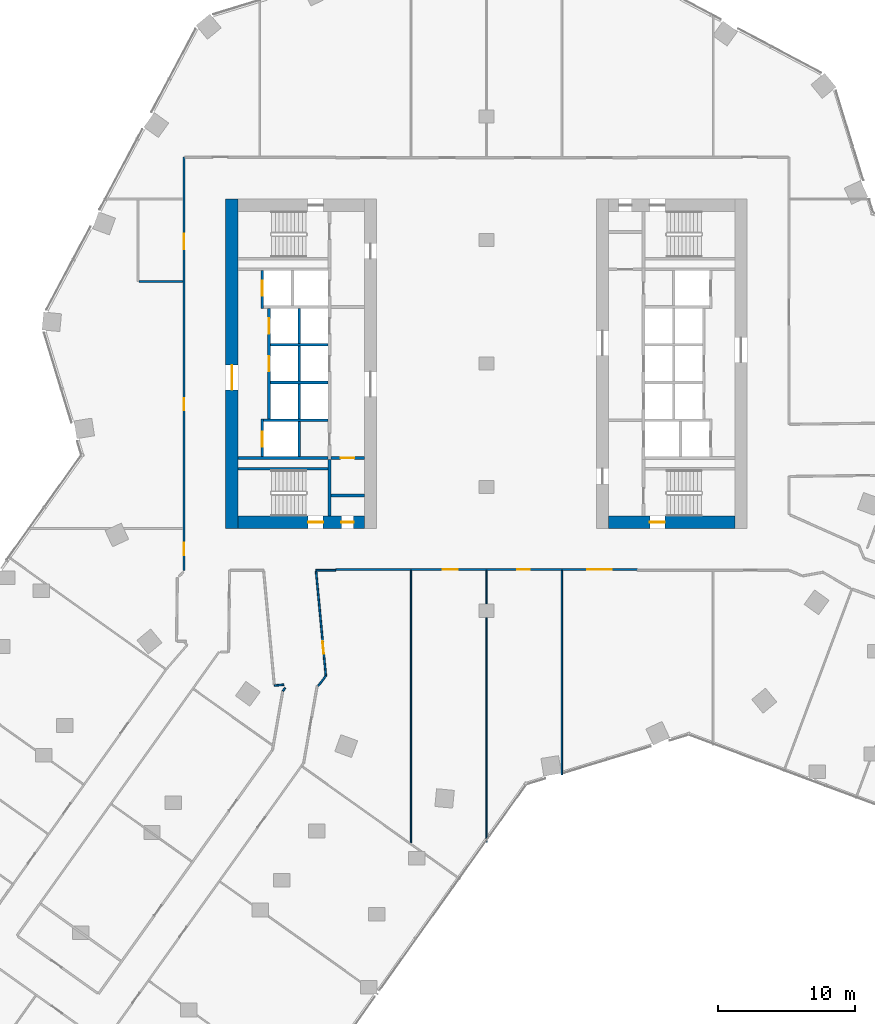
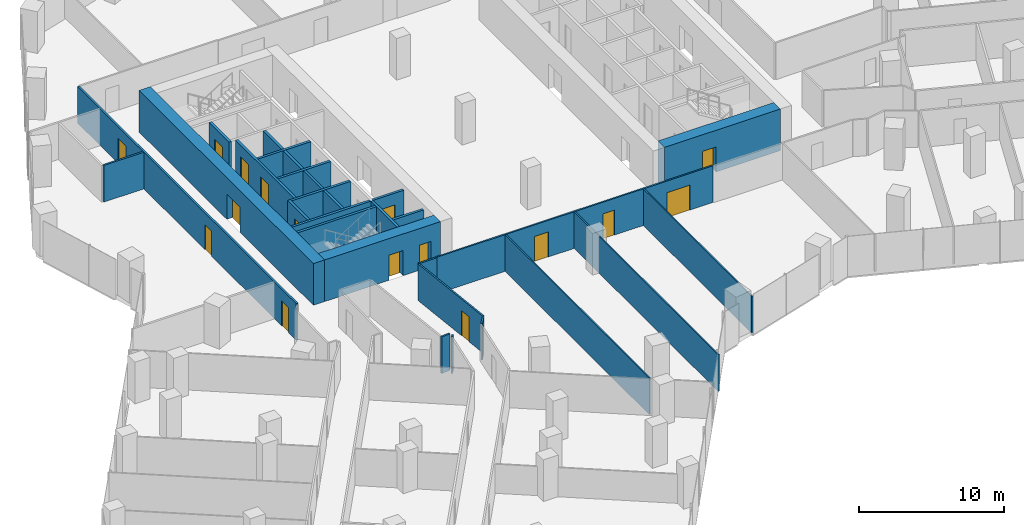
# One storey, part 24 of 31: 29 walls, 16 doors, 16 openings.
"""IFC4 building model written with IfcOpenShell, lengths in metres."""

import ifcopenshell
import ifcopenshell.guid

model = None  # the IFC model being written
_history = None  # IfcOwnerHistory: only IFC2X3 demands one
_inside = {}  # id of a spatial element -> (the spatial element, [elements in it])
_under = {}  # id of a project, library or spatial element -> (it, [spatial elements below it])
_declared = {}  # id of a project -> (the project, [libraries it declares])
_typed = {}  # id of a type object -> (the type object, [elements of that type])
_made_of = {}  # id of a material, layer set ... -> (it, [elements and type objects made of it])


def new_model(schema):
    """Start an empty IFC model of exactly this schema.

    Asked for "IFC4X3", IfcOpenShell would pick the latest addendum, in which some entities
    have other attributes; the version numbers below select the first issue.
    IFC2X3 requires an IfcOwnerHistory on every rooted entity: one is made here for all.
    """
    global model, _history
    if schema == "IFC4X3":
        model = ifcopenshell.file(schema_version=(4, 3, 0, 0))
    else:
        model = ifcopenshell.file(schema=schema)
    _inside.clear()
    _under.clear()
    _declared.clear()
    _typed.clear()
    _made_of.clear()
    _history = None
    if model.schema == "IFC2X3":
        org = make("IfcOrganization", Name="unknown")
        user = make(
            "IfcPersonAndOrganization",
            ThePerson=make("IfcPerson", FamilyName="unknown"),
            TheOrganization=org,
        )
        app = make(
            "IfcApplication",
            ApplicationDeveloper=org,
            Version="unknown",
            ApplicationFullName="unknown",
            ApplicationIdentifier="unknown",
        )
        _history = make(
            "IfcOwnerHistory",
            OwningUser=user,
            OwningApplication=app,
            ChangeAction="ADDED",
            CreationDate=0,
        )
    return model


def make(cls, **values):
    """One entity of the class cls with the attributes given. An attribute that is None is left unset."""
    return model.create_entity(
        cls, **{name: value for name, value in values.items() if value is not None}
    )


def rooted(cls, **values):
    """An entity with a GlobalId (a new one), such as an element, a storey or a relation."""
    return make(cls, GlobalId=ifcopenshell.guid.new(), OwnerHistory=_history, **values)


def si_unit(unit_type, name, prefix=None):
    """IfcSIUnit, for example si_unit("LENGTHUNIT", "METRE", prefix="MILLI")."""
    return make("IfcSIUnit", UnitType=unit_type, Prefix=prefix, Name=name)


def assignment(units):
    """IfcUnitAssignment: the units of a project."""
    return None if units is None else make("IfcUnitAssignment", Units=units)


def point(xyz):
    """IfcCartesianPoint."""
    return None if xyz is None else make("IfcCartesianPoint", Coordinates=xyz)


def direction(xyz):
    """IfcDirection."""
    return None if xyz is None else make("IfcDirection", DirectionRatios=xyz)


def frame(location, z_axis=None, x_axis=None):
    """IfcAxis2Placement3D, a coordinate frame: its origin and axes. An axis left out is left unset."""
    return make(
        "IfcAxis2Placement3D",
        Location=point(location),
        Axis=direction(z_axis),
        RefDirection=direction(x_axis),
    )


def frame_2d(location, x_axis=None):
    """IfcAxis2Placement2D, a coordinate frame in the plane: its origin and x axis."""
    return make(
        "IfcAxis2Placement2D", Location=point(location), RefDirection=direction(x_axis)
    )


def origin():
    """The frame at (0, 0, 0) with its axes left unset."""
    return frame((0.0, 0.0, 0.0))


def place(relative_to, where):
    """IfcLocalPlacement: puts the frame where relative to a parent placement (None: the world)."""
    return make(
        "IfcLocalPlacement", PlacementRelTo=relative_to, RelativePlacement=where
    )


def context(
    kind, dimensions, precision=None, world=None, true_north=None, identifier=None
):
    """IfcGeometricRepresentationContext, for example the 3D "Model" context."""
    return make(
        "IfcGeometricRepresentationContext",
        ContextIdentifier=identifier,
        ContextType=kind,
        CoordinateSpaceDimension=dimensions,
        Precision=precision,
        WorldCoordinateSystem=world,
        TrueNorth=true_north,
    )


def subcontext(parent, identifier, kind, view, scale=None):
    """IfcGeometricRepresentationSubContext, for example "Body" below "Model"."""
    return make(
        "IfcGeometricRepresentationSubContext",
        ContextIdentifier=identifier,
        ContextType=kind,
        ParentContext=parent,
        TargetScale=scale,
        TargetView=view,
    )


def project(units=None, contexts=None):
    """IfcProject with its units and contexts."""
    return rooted(
        "IfcProject",
        Name="project",
        RepresentationContexts=contexts,
        UnitsInContext=assignment(units),
    )


def spatial(cls, under=None, at=None, **own):
    """A site, building, storey or space (cls), placed at a placement, below another one or the project."""
    s = rooted(cls, ObjectPlacement=at, **own)
    if under is not None:
        _under.setdefault(under.id(), (under, []))[1].append(s)
    return s


def profile(cls, at=None, kind="AREA", **sizes):
    """A parametric profile (cls). Its sizes go by their IFC names, for example OverallWidth=200.0."""
    return make(cls, ProfileType=kind, Position=at, **sizes)


def rectangle(**sizes):
    """IfcRectangleProfileDef."""
    return profile("IfcRectangleProfileDef", **sizes)


def extrude(swept, where, along, depth):
    """IfcExtrudedAreaSolid: the profile swept, set in the frame where, extruded along a direction by depth."""
    return make(
        "IfcExtrudedAreaSolid",
        SweptArea=swept,
        Position=where,
        ExtrudedDirection=direction(along),
        Depth=depth,
    )


def shape(context_of_items, identifier, shape_type, items):
    """IfcShapeRepresentation: the items that make up one representation, for example the "Body"."""
    return make(
        "IfcShapeRepresentation",
        ContextOfItems=context_of_items,
        RepresentationIdentifier=identifier,
        RepresentationType=shape_type,
        Items=items,
    )


def material(Name=None, Category=None):
    """IfcMaterial."""
    return make("IfcMaterial", Name=Name, Category=Category)


def layer(
    of_material, thickness, ventilated=None, Name=None, Category=None, Priority=None
):
    """IfcMaterialLayer: one layer of a wall or slab, of a material (None: an air gap)."""
    return make(
        "IfcMaterialLayer",
        Material=of_material,
        LayerThickness=thickness,
        IsVentilated=ventilated,
        Name=Name,
        Category=Category,
        Priority=Priority,
    )


def layer_set(layers, Name=None):
    """IfcMaterialLayerSet."""
    return make("IfcMaterialLayerSet", MaterialLayers=layers, LayerSetName=Name)


def made_of(thing, what):
    """Note that an element or type object is made of a material, layer set ...; save() writes the relation."""
    if what is not None:
        _made_of.setdefault(what.id(), (what, []))[1].append(thing)
    return thing


def type_object(cls, material=None, **own):
    """A type object (cls), such as IfcWallType, which elements share."""
    return made_of(rooted(cls, **own), material)


def element(
    cls,
    number,
    at=None,
    inside=None,
    cuts=None,
    type_object=None,
    material=None,
    context=None,
    identifier="Body",
    shape_type=None,
    held_by="IfcProductDefinitionShape",
    body=None,
    shapes=None,
    **own,
):
    """One element of the class cls, such as IfcWall. Its Tag is "e" and its number.

    at: its placement. inside: the storey or other place that contains it. cuts: it is an
    opening in that element (IfcRelVoidsElement). A single representation is given by context,
    identifier, shape_type and body (its items); several are given by shapes. held_by: the class
    of the entity that holds the representations. save() writes the other relations.
    """
    e = rooted(cls, Tag="e%d" % number, ObjectPlacement=at, **own)
    if body is not None:
        shapes = [shape(context, identifier, shape_type, body)]
    if shapes is not None:
        e.Representation = make(held_by, Representations=shapes)
    if inside is not None:
        _inside.setdefault(inside.id(), (inside, []))[1].append(e)
    if cuts is not None:
        rooted(
            "IfcRelVoidsElement", RelatingBuildingElement=cuts, RelatedOpeningElement=e
        )
    if type_object is not None:
        _typed.setdefault(type_object.id(), (type_object, []))[1].append(e)
    return made_of(e, material)


def fill(opening, filler):
    """IfcRelFillsElement: the door or window that sits in an opening."""
    return rooted(
        "IfcRelFillsElement",
        RelatingOpeningElement=opening,
        RelatedBuildingElement=filler,
    )


def aggregate(whole, parts):
    """IfcRelAggregates: a whole, such as a stair, and the parts it consists of."""
    return rooted("IfcRelAggregates", RelatingObject=whole, RelatedObjects=parts)


def save(model, path):
    """Write the relations noted so far, then the file.

    IfcRelAggregates (storeys below a building ...), IfcRelContainedInSpatialStructure (elements
    in a storey), IfcRelDefinesByType, IfcRelAssociatesMaterial and IfcRelDeclares: one each for
    every whole, place, type object, material and project.
    """
    for whole, parts in _under.values():
        aggregate(whole, parts)
    for where, things in _inside.values():
        rooted(
            "IfcRelContainedInSpatialStructure",
            RelatedElements=things,
            RelatingStructure=where,
        )
    for kind, things in _typed.values():
        rooted("IfcRelDefinesByType", RelatedObjects=things, RelatingType=kind)
    for what, things in _made_of.values():
        rooted("IfcRelAssociatesMaterial", RelatedObjects=things, RelatingMaterial=what)
    for by, libraries in _declared.values():
        rooted("IfcRelDeclares", RelatingContext=by, RelatedDefinitions=libraries)
    model.write(path)


model = new_model("IFC4")

# Units and contexts
model_context = context("Model", 3, precision=1e-05, world=origin(), true_north=direction((0.0, 1.0)))
body_context = subcontext(model_context, "Body", "Model", "MODEL_VIEW")
ifc_project = project(units=[si_unit("LENGTHUNIT", "METRE"), si_unit("AREAUNIT", "SQUARE_METRE"), si_unit("VOLUMEUNIT", "CUBIC_METRE"), si_unit("PLANEANGLEUNIT", "RADIAN"), si_unit("MASSUNIT", "GRAM", prefix="KILO")], contexts=[model_context])

# Site, building, storey
site_placement = place(None, origin())
site = spatial("IfcSite", under=ifc_project, at=site_placement, CompositionType="ELEMENT")
building_placement = place(site_placement, origin())
building = spatial("IfcBuilding", under=site, at=building_placement, Name="Orlundy Tower", CompositionType="ELEMENT")
storey_placement = place(building_placement, frame((0.0, 0.0, 94.699951171875)))
storey = spatial("IfcBuildingStorey", under=building, at=storey_placement, Name="L23", CompositionType="ELEMENT", Elevation=94.699951171875)

# Wall, openings, doors
ifc_material_1 = material(Name="Concrete C80/95", Category="concrete")
ifc_layer_1 = layer(ifc_material_1, 0.89990234375)
ifc_layer_set_1 = layer_set([ifc_layer_1], Name="CORE WALL 900 C80/95")
wall_type_1 = type_object("IfcWallType", Name="CORE WALL 900 C80/95", PredefinedType="SHEAR", material=ifc_layer_set_1)
wall_1_placement = place(storey_placement, frame((-18.10009765625, -11.550048828125, 0.0), z_axis=(0.0, 0.0, 1.0), x_axis=(1.0, 0.0, 0.0)))
wall_1 = element("IfcWall", 1, at=wall_1_placement, inside=storey, type_object=wall_type_1, Name="Core wall W-S L23", PredefinedType="SHEAR", context=body_context, shape_type="SweptSolid", body=[
    extrude(rectangle(XDim=9.2001953125, YDim=0.89990234375, at=frame_2d((4.60009765625, 0.0))), origin(), (0.0, 0.0, 1.0), 3.5),
])
opening_1_placement = place(wall_1_placement, frame((5.10009765625, 0.0, 0.0)))
opening_1 = element("IfcOpeningElement", 2, at=opening_1_placement, cuts=wall_1, Name="Opening 18013", PredefinedType="OPENING", context=body_context, shape_type="SweptSolid", body=[
    extrude(rectangle(XDim=1.10009765625, YDim=2.10009765625, at=frame_2d((0.550048828125, 1.050048828125))), frame((0.0, 0.4599609375, 0.0), z_axis=(0.0, -1.0, 0.0), x_axis=(1.0, 0.0, 0.0)), (0.0, 0.0, 1.0), 0.919921875),
])
opening_2_placement = place(wall_1_placement, frame((7.530029296875, 0.0, 0.0)))
opening_2 = element("IfcOpeningElement", 3, at=opening_2_placement, cuts=wall_1, Name="Opening 18015", PredefinedType="OPENING", context=body_context, shape_type="SweptSolid", body=[
    extrude(rectangle(XDim=0.89990234375, YDim=2.10009765625, at=frame_2d((0.449951171875, 1.050048828125))), frame((0.0, 0.4599609375, 0.0), z_axis=(0.0, -1.0, 0.0), x_axis=(1.0, 0.0, 0.0)), (0.0, 0.0, 1.0), 0.919921875),
])
ifc_material_2 = material(Name="Timber door set", Category="wood")
door_type_1 = type_object("IfcDoorType", Name="Room Door 900x2100", OperationType="SINGLE_SWING_LEFT", PredefinedType="DOOR", material=ifc_material_2)
door_1_placement = place(opening_2_placement, origin())
door_1 = element("IfcDoor", 4, at=door_1_placement, inside=storey, type_object=door_type_1, Name="Store door 18015", OperationType="SINGLE_SWING_RIGHT", OverallHeight=2.10009765625, OverallWidth=0.89990234375, PredefinedType="DOOR", context=body_context, shape_type="SweptSolid", body=[
    extrude(rectangle(XDim=0.89990234375, YDim=2.10009765625, at=frame_2d((0.449951171875, 1.050048828125))), frame((0.0, 0.02490234375, 0.0), z_axis=(0.0, -1.0, 0.0), x_axis=(1.0, 0.0, 0.0)), (0.0, 0.0, 1.0), 0.050048828125),
])
fill(opening_2, door_1)
ifc_material_3 = material(Name="Steel door set", Category="steel")
door_type_2 = type_object("IfcDoorType", Name="Stair Door 1100x2100", OperationType="SINGLE_SWING_LEFT", PredefinedType="DOOR", material=ifc_material_3)
door_2_placement = place(opening_1_placement, origin())
door_2 = element("IfcDoor", 5, at=door_2_placement, inside=storey, type_object=door_type_2, Name="Stair door 18013", OperationType="SINGLE_SWING_RIGHT", OverallHeight=2.10009765625, OverallWidth=1.10009765625, PredefinedType="DOOR", context=body_context, shape_type="SweptSolid", body=[
    extrude(rectangle(XDim=1.10009765625, YDim=2.10009765625, at=frame_2d((0.550048828125, 1.050048828125))), frame((0.0, 0.02490234375, 0.0), z_axis=(0.0, -1.0, 0.0), x_axis=(1.0, 0.0, 0.0)), (0.0, 0.0, 1.0), 0.050048828125),
])
fill(opening_1, door_2)

# Wall, opening, door
wall_2_placement = place(storey_placement, frame((-18.550048828125, -12.0, 0.0), z_axis=(0.0, 0.0, 1.0), x_axis=(0.0, 1.0, 0.0)))
wall_2 = element("IfcWall", 6, at=wall_2_placement, inside=storey, type_object=wall_type_1, Name="Core wall W-W L23", PredefinedType="SHEAR", context=body_context, shape_type="SweptSolid", body=[
    extrude(rectangle(XDim=24.0, YDim=0.89990234375, at=frame_2d((12.0, 0.0))), origin(), (0.0, 0.0, 1.0), 3.5),
])
opening_3_placement = place(wall_2_placement, frame((10.10009765625, 0.0, 0.0)))
opening_3 = element("IfcOpeningElement", 7, at=opening_3_placement, cuts=wall_2, Name="Opening 18010", PredefinedType="OPENING", context=body_context, shape_type="SweptSolid", body=[
    extrude(rectangle(XDim=1.800048828125, YDim=2.10009765625, at=frame_2d((0.89990234375, 1.050048828125))), frame((0.0, 0.4599609375, 0.0), z_axis=(0.0, -1.0, 0.0), x_axis=(1.0, 0.0, 0.0)), (0.0, 0.0, 1.0), 0.919921875),
])
ifc_material_4 = material(Name="Timber door set", Category="wood")
door_type_3 = type_object("IfcDoorType", Name="Lobby Door 1800x2100", OperationType="DOUBLE_DOOR_DOUBLE_SWING", PredefinedType="DOOR", material=ifc_material_4)
door_3_placement = place(opening_3_placement, origin())
door_3 = element("IfcDoor", 8, at=door_3_placement, inside=storey, type_object=door_type_3, Name="Lift lobby door 18010", OperationType="SINGLE_SWING_LEFT", OverallHeight=2.10009765625, OverallWidth=1.800048828125, PredefinedType="DOOR", context=body_context, shape_type="SweptSolid", body=[
    extrude(rectangle(XDim=1.800048828125, YDim=2.10009765625, at=frame_2d((0.89990234375, 1.050048828125))), frame((0.0, 0.02490234375, 0.0), z_axis=(0.0, -1.0, 0.0), x_axis=(1.0, 0.0, 0.0)), (0.0, 0.0, 1.0), 0.050048828125),
])
fill(opening_3, door_3)

wall_3_placement = place(storey_placement, frame((8.89990234375, -11.550048828125, 0.0), z_axis=(0.0, 0.0, 1.0), x_axis=(1.0, 0.0, 0.0)))
wall_3 = element("IfcWall", 9, at=wall_3_placement, inside=storey, type_object=wall_type_1, Name="Core wall E-S L23", PredefinedType="SHEAR", context=body_context, shape_type="SweptSolid", body=[
    extrude(rectangle(XDim=9.2001953125, YDim=0.89990234375, at=frame_2d((4.60009765625, 0.0))), origin(), (0.0, 0.0, 1.0), 3.5),
])
opening_4_placement = place(wall_3_placement, frame((3.0, 0.0, 0.0)))
opening_4 = element("IfcOpeningElement", 10, at=opening_4_placement, cuts=wall_3, Name="Opening 18061", PredefinedType="OPENING", context=body_context, shape_type="SweptSolid", body=[
    extrude(rectangle(XDim=1.10009765625, YDim=2.10009765625, at=frame_2d((0.550048828125, 1.050048828125))), frame((0.0, 0.4599609375, 0.0), z_axis=(0.0, -1.0, 0.0), x_axis=(1.0, 0.0, 0.0)), (0.0, 0.0, 1.0), 0.919921875),
])
door_4_placement = place(opening_4_placement, origin())
door_4 = element("IfcDoor", 11, at=door_4_placement, inside=storey, type_object=door_type_2, Name="Stair door 18061", OperationType="SINGLE_SWING_LEFT", OverallHeight=2.10009765625, OverallWidth=1.10009765625, PredefinedType="DOOR", context=body_context, shape_type="SweptSolid", body=[
    extrude(rectangle(XDim=1.10009765625, YDim=2.10009765625, at=frame_2d((0.550048828125, 1.050048828125))), frame((0.0, 0.02490234375, 0.0), z_axis=(0.0, -1.0, 0.0), x_axis=(1.0, 0.0, 0.0)), (0.0, 0.0, 1.0), 0.050048828125),
])
fill(opening_4, door_4)

# Walls
ifc_material_5 = material(Name="Gypsum board partition")
ifc_layer_2 = layer(ifc_material_5, 0.10009765625)
ifc_layer_set_2 = layer_set([ifc_layer_2], Name="Floor partition 100")
wall_type_2 = type_object("IfcWallType", Name="Floor partition 100", PredefinedType="PARTITIONING", material=ifc_layer_set_2)
wall_4_placement = place(storey_placement, frame((5.49609375, -29.950927734375, 0.0), z_axis=(0.0, 0.0, 1.0), x_axis=(0.0, 1.0, 0.0)))
element("IfcWall", 12, at=wall_4_placement, inside=storey, type_object=wall_type_2, Name="wall-int-L23-079", PredefinedType="PARTITIONING", context=body_context, shape_type="SweptSolid", body=[
    extrude(rectangle(XDim=14.887939453125, YDim=0.10009765625, at=frame_2d((7.44384765625, 0.0))), origin(), (0.0, 0.0, 1.0), 3.080078125),
])
wall_5_placement = place(storey_placement, frame((0.0, -34.87109375, 0.0), z_axis=(0.0, 0.0, 1.0), x_axis=(0.0, 1.0, 0.0)))
element("IfcWall", 13, at=wall_5_placement, inside=storey, type_object=wall_type_2, Name="wall-int-L23-081", PredefinedType="PARTITIONING", context=body_context, shape_type="SweptSolid", body=[
    extrude(rectangle(XDim=19.80810546875, YDim=0.10009765625, at=frame_2d((9.904052734375, 0.0))), origin(), (0.0, 0.0, 1.0), 3.080078125),
])
wall_6_placement = place(storey_placement, frame((-5.493896484375, -34.9130859375, 0.0), z_axis=(0.0, 0.0, 1.0), x_axis=(0.0, 1.0, 0.0)))
element("IfcWall", 14, at=wall_6_placement, inside=storey, type_object=wall_type_2, Name="wall-int-L23-083", PredefinedType="PARTITIONING", context=body_context, shape_type="SweptSolid", body=[
    extrude(rectangle(XDim=19.85009765625, YDim=0.10009765625, at=frame_2d((9.925048828125, 0.0))), origin(), (0.0, 0.0, 1.0), 3.080078125),
])

# Wall, opening, door
ifc_material_6 = material(Name="Gypsum board partition, double layer")
ifc_layer_3 = layer(ifc_material_6, 0.125)
ifc_layer_set_3 = layer_set([ifc_layer_3], Name="Floor partition 125")
wall_type_3 = type_object("IfcWallType", Name="Floor partition 125", PredefinedType="PARTITIONING", material=ifc_layer_set_3)
wall_7_placement = place(storey_placement, frame((-12.416015625, -15.113037109375, 0.0), z_axis=(0.0, 0.0, 1.0), x_axis=(0.093186749475, -0.995648647728, 0.0)))
wall_7 = element("IfcWall", 15, at=wall_7_placement, inside=storey, type_object=wall_type_3, Name="wall-int-L23-004", PredefinedType="PARTITIONING", context=body_context, shape_type="SweptSolid", body=[
    extrude(rectangle(XDim=7.663330078125, YDim=0.125, at=frame_2d((3.83154296875, 0.0))), origin(), (0.0, 0.0, 1.0), 3.080078125),
])
opening_5_placement = place(wall_7_placement, frame((5.152099609375, 0.0, 0.0)))
opening_5 = element("IfcOpeningElement", 16, at=opening_5_placement, cuts=wall_7, Name="Opening 18124", PredefinedType="OPENING", context=body_context, shape_type="SweptSolid", body=[
    extrude(rectangle(XDim=0.89990234375, YDim=2.10009765625, at=frame_2d((0.449951171875, 1.050048828125))), frame((0.0, 0.072509765625, 0.0), z_axis=(0.0, -1.0, 0.0), x_axis=(1.0, 0.0, 0.0)), (0.0, 0.0, 1.0), 0.14501953125),
])
ifc_material_7 = material(Name="Timber door leaf", Category="wood")
door_type_4 = type_object("IfcDoorType", Name="Floor door single 900 FD30S", OperationType="NOTDEFINED", PredefinedType="DOOR", material=ifc_material_7)
door_5_placement = place(opening_5_placement, origin())
door_5 = element("IfcDoor", 17, at=door_5_placement, inside=storey, type_object=door_type_4, Name="Door 18124", OperationType="SINGLE_SWING_RIGHT", OverallHeight=2.10009765625, OverallWidth=0.89990234375, PredefinedType="DOOR", context=body_context, shape_type="SweptSolid", body=[
    extrude(rectangle(XDim=0.89990234375, YDim=2.10009765625, at=frame_2d((0.449951171875, 1.050048828125))), frame((0.0, 0.02490234375, 0.0), z_axis=(0.0, -1.0, 0.0), x_axis=(1.0, 0.0, 0.0)), (0.0, 0.0, 1.0), 0.050048828125),
])
fill(opening_5, door_5)

# Wall
wall_8_placement = place(storey_placement, frame((-12.422119140625, -15.051025390625, 0.0), z_axis=(0.0, 0.0, 1.0), x_axis=(1.0, 0.0, 0.0)))
element("IfcWall", 18, at=wall_8_placement, inside=storey, type_object=wall_type_3, Name="wall-int-L23-032", PredefinedType="PARTITIONING", context=body_context, shape_type="SweptSolid", body=[
    extrude(rectangle(XDim=1.43115234375, YDim=0.125, at=frame_2d((0.715576171875, 0.0))), origin(), (0.0, 0.0, 1.0), 3.080078125),
])

# Wall, openings, doors
wall_9_placement = place(storey_placement, frame((10.989990234375, -15.0009765625, 0.0), z_axis=(0.0, 0.0, 1.0), x_axis=(-1.0, 0.0, 0.0)))
wall_9 = element("IfcWall", 19, at=wall_9_placement, inside=storey, type_object=wall_type_3, Name="wall-int-L23-034", PredefinedType="PARTITIONING", context=body_context, shape_type="SweptSolid", body=[
    extrude(rectangle(XDim=21.97998046875, YDim=0.125, at=frame_2d((10.989990234375, 0.0))), origin(), (0.0, 0.0, 1.0), 3.080078125),
])
opening_6_placement = place(wall_9_placement, frame((13.090087890625, 0.0, 0.0)))
opening_6 = element("IfcOpeningElement", 20, at=opening_6_placement, cuts=wall_9, Name="Opening 18125", PredefinedType="OPENING", context=body_context, shape_type="SweptSolid", body=[
    extrude(rectangle(XDim=1.10009765625, YDim=2.10009765625, at=frame_2d((0.550048828125, 1.050048828125))), frame((0.0, 0.072509765625, 0.0), z_axis=(0.0, -1.0, 0.0), x_axis=(1.0, 0.0, 0.0)), (0.0, 0.0, 1.0), 0.14501953125),
])
opening_7_placement = place(wall_9_placement, frame((7.843994140625, 0.0, 0.0)))
opening_7 = element("IfcOpeningElement", 21, at=opening_7_placement, cuts=wall_9, Name="Opening 18126", PredefinedType="OPENING", context=body_context, shape_type="SweptSolid", body=[
    extrude(rectangle(XDim=0.89990234375, YDim=2.10009765625, at=frame_2d((0.449951171875, 1.050048828125))), frame((0.0, 0.072509765625, 0.0), z_axis=(0.0, -1.0, 0.0), x_axis=(1.0, 0.0, 0.0)), (0.0, 0.0, 1.0), 0.14501953125),
])
opening_8_placement = place(wall_9_placement, frame((1.85009765625, 0.0, 0.0)))
opening_8 = element("IfcOpeningElement", 22, at=opening_8_placement, cuts=wall_9, Name="Opening 18127", PredefinedType="OPENING", context=body_context, shape_type="SweptSolid", body=[
    extrude(rectangle(XDim=1.800048828125, YDim=2.10009765625, at=frame_2d((0.89990234375, 1.050048828125))), frame((0.0, 0.072509765625, 0.0), z_axis=(0.0, -1.0, 0.0), x_axis=(1.0, 0.0, 0.0)), (0.0, 0.0, 1.0), 0.14501953125),
])
ifc_material_8 = material(Name="Timber door leaf", Category="wood")
door_type_5 = type_object("IfcDoorType", Name="Floor door double 1800 FD30S", OperationType="NOTDEFINED", PredefinedType="DOOR", material=ifc_material_8)
door_6_placement = place(opening_8_placement, origin())
door_6 = element("IfcDoor", 23, at=door_6_placement, inside=storey, type_object=door_type_5, Name="Door 18127", OperationType="DOUBLE_DOOR_SINGLE_SWING", OverallHeight=2.10009765625, OverallWidth=1.800048828125, PredefinedType="DOOR", context=body_context, shape_type="SweptSolid", body=[
    extrude(rectangle(XDim=1.800048828125, YDim=2.10009765625, at=frame_2d((0.89990234375, 1.050048828125))), frame((0.0, 0.02490234375, 0.0), z_axis=(0.0, -1.0, 0.0), x_axis=(1.0, 0.0, 0.0)), (0.0, 0.0, 1.0), 0.050048828125),
])
fill(opening_8, door_6)
door_7_placement = place(opening_7_placement, origin())
door_7 = element("IfcDoor", 24, at=door_7_placement, inside=storey, type_object=door_type_4, Name="Door 18126", OperationType="SINGLE_SWING_LEFT", OverallHeight=2.10009765625, OverallWidth=0.89990234375, PredefinedType="DOOR", context=body_context, shape_type="SweptSolid", body=[
    extrude(rectangle(XDim=0.89990234375, YDim=2.10009765625, at=frame_2d((0.449951171875, 1.050048828125))), frame((0.0, 0.02490234375, 0.0), z_axis=(0.0, -1.0, 0.0), x_axis=(1.0, 0.0, 0.0)), (0.0, 0.0, 1.0), 0.050048828125),
])
fill(opening_7, door_7)
ifc_material_9 = material(Name="Timber door leaf", Category="wood")
door_type_6 = type_object("IfcDoorType", Name="Floor door xwide 1100 FD30S", OperationType="NOTDEFINED", PredefinedType="DOOR", material=ifc_material_9)
door_8_placement = place(opening_6_placement, origin())
door_8 = element("IfcDoor", 25, at=door_8_placement, inside=storey, type_object=door_type_6, Name="Door 18125", OperationType="SINGLE_SWING_RIGHT", OverallHeight=2.10009765625, OverallWidth=1.10009765625, PredefinedType="DOOR", context=body_context, shape_type="SweptSolid", body=[
    extrude(rectangle(XDim=1.10009765625, YDim=2.10009765625, at=frame_2d((0.550048828125, 1.050048828125))), frame((0.0, 0.02490234375, 0.0), z_axis=(0.0, -1.0, 0.0), x_axis=(1.0, 0.0, 0.0)), (0.0, 0.0, 1.0), 0.050048828125),
])
fill(opening_6, door_8)

# Walls
wall_10_placement = place(storey_placement, frame((-12.256103515625, -23.47607421875, 0.0), z_axis=(0.0, 0.0, 1.0), x_axis=(0.603013454961, 0.797731015528, 0.0)))
element("IfcWall", 26, at=wall_10_placement, inside=storey, type_object=wall_type_3, Name="wall-int-L23-045", PredefinedType="PARTITIONING", context=body_context, shape_type="SweptSolid", body=[
    extrude(rectangle(XDim=0.9189453125, YDim=0.125, at=frame_2d((0.45947265625, 0.0))), origin(), (0.0, 0.0, 1.0), 3.080078125),
])
wall_11_placement = place(storey_placement, frame((-15.4541015625, -23.451904296875, 0.0), z_axis=(0.0, 0.0, 1.0), x_axis=(0.995687741578, 0.09276810482, 0.0)))
element("IfcWall", 27, at=wall_11_placement, inside=storey, type_object=wall_type_3, Name="wall-int-L23-046", PredefinedType="PARTITIONING", context=body_context, shape_type="SweptSolid", body=[
    extrude(rectangle(XDim=0.699951171875, YDim=0.125, at=frame_2d((0.35009765625, 0.0))), origin(), (0.0, 0.0, 1.0), 3.080078125),
])
wall_12_placement = place(storey_placement, frame((-14.840087890625, -23.85693359375, 0.0), z_axis=(0.0, 0.0, 1.0), x_axis=(0.586176879317, 0.810183106559, 0.0)))
element("IfcWall", 28, at=wall_12_placement, inside=storey, type_object=wall_type_3, Name="wall-int-L23-049", PredefinedType="PARTITIONING", context=body_context, shape_type="SweptSolid", body=[
    extrude(rectangle(XDim=0.298583984375, YDim=0.125, at=frame_2d((0.1494140625, 0.0))), origin(), (0.0, 0.0, 1.0), 3.080078125),
])
ifc_material_10 = material(Name="Blockwork shaft wall", Category="masonry")
ifc_layer_4 = layer(ifc_material_10, 0.14990234375)
ifc_layer_set_4 = layer_set([ifc_layer_4], Name="Floor shaft wall 150")
wall_type_4 = type_object("IfcWallType", Name="Floor shaft wall 150", PredefinedType="PARTITIONING", material=ifc_layer_set_4)
wall_13_placement = place(storey_placement, frame((-25.306884765625, 6.0009765625, 0.0), z_axis=(0.0, 0.0, 1.0), x_axis=(1.0, 0.0, 0.0)))
element("IfcWall", 29, at=wall_13_placement, inside=storey, type_object=wall_type_4, Name="wall-int-L23-036", PredefinedType="PARTITIONING", context=body_context, shape_type="SweptSolid", body=[
    extrude(rectangle(XDim=3.181884765625, YDim=0.14990234375, at=frame_2d((1.5908203125, 0.0))), origin(), (0.0, 0.0, 1.0), 3.080078125),
])

# Wall, openings, doors
wall_14_placement = place(storey_placement, frame((-22.050048828125, -15.051025390625, 0.0), z_axis=(0.0, 0.0, 1.0), x_axis=(0.0, 1.0, 0.0)))
wall_14 = element("IfcWall", 30, at=wall_14_placement, inside=storey, type_object=wall_type_4, Name="wall-int-L23-086", PredefinedType="PARTITIONING", context=body_context, shape_type="SweptSolid", body=[
    extrude(rectangle(XDim=30.10205078125, YDim=0.14990234375, at=frame_2d((15.051025390625, 0.0))), origin(), (0.0, 0.0, 1.0), 3.080078125),
])
opening_9_placement = place(wall_14_placement, frame((11.65087890625, 0.0, 0.0)))
opening_9 = element("IfcOpeningElement", 31, at=opening_9_placement, cuts=wall_14, Name="Opening 18120", PredefinedType="OPENING", context=body_context, shape_type="SweptSolid", body=[
    extrude(rectangle(XDim=0.89990234375, YDim=2.10009765625, at=frame_2d((0.449951171875, 1.050048828125))), frame((0.0, 0.0849609375, 0.0), z_axis=(0.0, -1.0, 0.0), x_axis=(1.0, 0.0, 0.0)), (0.0, 0.0, 1.0), 0.169921875),
])
opening_10_placement = place(wall_14_placement, frame((1.10009765625, 0.0, 0.0)))
opening_10 = element("IfcOpeningElement", 32, at=opening_10_placement, cuts=wall_14, Name="Opening 18121", PredefinedType="OPENING", context=body_context, shape_type="SweptSolid", body=[
    extrude(rectangle(XDim=0.89990234375, YDim=2.10009765625, at=frame_2d((0.449951171875, 1.050048828125))), frame((0.0, 0.0849609375, 0.0), z_axis=(0.0, -1.0, 0.0), x_axis=(1.0, 0.0, 0.0)), (0.0, 0.0, 1.0), 0.169921875),
])
opening_11_placement = place(wall_14_placement, frame((23.402099609375, 0.0, 0.0)))
opening_11 = element("IfcOpeningElement", 33, at=opening_11_placement, cuts=wall_14, Name="Opening 18137", PredefinedType="OPENING", context=body_context, shape_type="SweptSolid", body=[
    extrude(rectangle(XDim=1.10009765625, YDim=2.10009765625, at=frame_2d((0.550048828125, 1.050048828125))), frame((0.0, 0.0849609375, 0.0), z_axis=(0.0, -1.0, 0.0), x_axis=(1.0, 0.0, 0.0)), (0.0, 0.0, 1.0), 0.169921875),
])
ifc_material_11 = material(Name="Timber door leaf", Category="wood")
door_type_7 = type_object("IfcDoorType", Name="Floor door single 900 FD60", OperationType="NOTDEFINED", PredefinedType="DOOR", material=ifc_material_11)
door_9_placement = place(opening_9_placement, origin())
door_9 = element("IfcDoor", 34, at=door_9_placement, inside=storey, type_object=door_type_7, Name="Door 18120", OperationType="SINGLE_SWING_LEFT", OverallHeight=2.10009765625, OverallWidth=0.89990234375, PredefinedType="DOOR", context=body_context, shape_type="SweptSolid", body=[
    extrude(rectangle(XDim=0.89990234375, YDim=2.10009765625, at=frame_2d((0.449951171875, 1.050048828125))), frame((0.0, 0.02490234375, 0.0), z_axis=(0.0, -1.0, 0.0), x_axis=(1.0, 0.0, 0.0)), (0.0, 0.0, 1.0), 0.050048828125),
])
fill(opening_9, door_9)
door_10_placement = place(opening_10_placement, origin())
door_10 = element("IfcDoor", 35, at=door_10_placement, inside=storey, type_object=door_type_7, Name="Door 18121", OperationType="SINGLE_SWING_LEFT", OverallHeight=2.10009765625, OverallWidth=0.89990234375, PredefinedType="DOOR", context=body_context, shape_type="SweptSolid", body=[
    extrude(rectangle(XDim=0.89990234375, YDim=2.10009765625, at=frame_2d((0.449951171875, 1.050048828125))), frame((0.0, 0.02490234375, 0.0), z_axis=(0.0, -1.0, 0.0), x_axis=(1.0, 0.0, 0.0)), (0.0, 0.0, 1.0), 0.050048828125),
])
fill(opening_10, door_10)
ifc_material_12 = material(Name="Timber door leaf", Category="wood")
door_type_8 = type_object("IfcDoorType", Name="Floor door xwide 1100 FD60", OperationType="NOTDEFINED", PredefinedType="DOOR", material=ifc_material_12)
door_11_placement = place(opening_11_placement, origin())
door_11 = element("IfcDoor", 36, at=door_11_placement, inside=storey, type_object=door_type_8, Name="Door 18137", OperationType="SINGLE_SWING_RIGHT", OverallHeight=2.10009765625, OverallWidth=1.10009765625, PredefinedType="DOOR", context=body_context, shape_type="SweptSolid", body=[
    extrude(rectangle(XDim=1.10009765625, YDim=2.10009765625, at=frame_2d((0.550048828125, 1.050048828125))), frame((0.0, 0.02490234375, 0.0), z_axis=(0.0, -1.0, 0.0), x_axis=(1.0, 0.0, 0.0)), (0.0, 0.0, 1.0), 0.050048828125),
])
fill(opening_11, door_11)

# Walls
ifc_material_13 = material(Name="Concrete C40/50", Category="concrete")
ifc_layer_5 = layer(ifc_material_13, 0.199951171875)
ifc_layer_set_5 = layer_set([ifc_layer_5], Name="Load-bearing Shaft Wall 200")
wall_type_5 = type_object("IfcWallType", Name="Load-bearing Shaft Wall 200", PredefinedType="SOLIDWALL", material=ifc_layer_set_5)
wall_15_placement = place(storey_placement, frame((-11.43994140625, -11.10009765625, 0.0), z_axis=(0.0, 0.0, 1.0), x_axis=(0.0, 1.0, 0.0)))
element("IfcWall", 37, at=wall_15_placement, inside=storey, type_object=wall_type_5, Name="Shaft wall W18-stair-end-s", PredefinedType="SOLIDWALL", context=body_context, shape_type="SweptSolid", body=[
    extrude(rectangle(XDim=4.125, YDim=0.199951171875, at=frame_2d((2.0625, 0.0))), origin(), (0.0, 0.0, 1.0), 3.090087890625),
])
wall_16_placement = place(storey_placement, frame((-11.5400390625, -7.64990234375, 0.0), z_axis=(0.0, 0.0, 1.0), x_axis=(-1.0, 0.0, 0.0)))
element("IfcWall", 38, at=wall_16_placement, inside=storey, type_object=wall_type_5, Name="Shaft wall W18-stair-side-s", PredefinedType="SOLIDWALL", context=body_context, shape_type="SweptSolid", body=[
    extrude(rectangle(XDim=6.56005859375, YDim=0.199951171875, at=frame_2d((3.280029296875, 0.0))), origin(), (0.0, 0.0, 1.0), 3.090087890625),
])

# Wall, opening, door
ifc_material_14 = material(Name="Gypsum board partition on steel studs", Category="steel")
ifc_layer_6 = layer(ifc_material_14, 0.199951171875)
ifc_layer_set_6 = layer_set([ifc_layer_6], Name="Partition 200")
wall_type_6 = type_object("IfcWallType", Name="Partition 200", PredefinedType="PARTITIONING", material=ifc_layer_set_6)
wall_17_placement = place(storey_placement, frame((-8.89990234375, -6.875, 0.0), z_axis=(0.0, 0.0, 1.0), x_axis=(-1.0, 0.0, 0.0)))
wall_17 = element("IfcWall", 39, at=wall_17_placement, inside=storey, type_object=wall_type_6, Name="Partition wall W18-end-s", PredefinedType="PARTITIONING", context=body_context, shape_type="SweptSolid", body=[
    extrude(rectangle(XDim=2.440185546875, YDim=0.199951171875, at=frame_2d((1.22021484375, 0.0))), origin(), (0.0, 0.0, 1.0), 3.090087890625),
])
opening_12_placement = place(wall_17_placement, frame((0.719970703125, 0.0, 0.0)))
opening_12 = element("IfcOpeningElement", 40, at=opening_12_placement, cuts=wall_17, Name="Opening 18016", PredefinedType="OPENING", context=body_context, shape_type="SweptSolid", body=[
    extrude(rectangle(XDim=1.0, YDim=2.10009765625, at=frame_2d((0.5, 1.050048828125))), frame((0.0, 0.110107421875, 0.0), z_axis=(0.0, -1.0, 0.0), x_axis=(1.0, 0.0, 0.0)), (0.0, 0.0, 1.0), 0.22021484375),
])
ifc_material_15 = material(Name="Timber door set", Category="wood")
door_type_9 = type_object("IfcDoorType", Name="Accessible Door 1000x2100", OperationType="SINGLE_SWING_LEFT", PredefinedType="DOOR", material=ifc_material_15)
door_12_placement = place(opening_12_placement, origin())
door_12 = element("IfcDoor", 41, at=door_12_placement, inside=storey, type_object=door_type_9, Name="Accessible WC door 18016", OperationType="SINGLE_SWING_RIGHT", OverallHeight=2.10009765625, OverallWidth=1.0, PredefinedType="DOOR", context=body_context, shape_type="SweptSolid", body=[
    extrude(rectangle(XDim=1.0, YDim=2.10009765625, at=frame_2d((0.5, 1.050048828125))), frame((0.0, 0.02490234375, 0.0), z_axis=(0.0, -1.0, 0.0), x_axis=(1.0, 0.0, 0.0)), (0.0, 0.0, 1.0), 0.050048828125),
])
fill(opening_12, door_12)

# Walls
wall_18_placement = place(storey_placement, frame((-8.89990234375, -9.60009765625, 0.0), z_axis=(0.0, 0.0, 1.0), x_axis=(-1.0, 0.0, 0.0)))
element("IfcWall", 42, at=wall_18_placement, inside=storey, type_object=wall_type_6, Name="Partition wall W18-room-s0", PredefinedType="PARTITIONING", context=body_context, shape_type="SweptSolid", body=[
    extrude(rectangle(XDim=2.440185546875, YDim=0.199951171875, at=frame_2d((1.22021484375, 0.0))), origin(), (0.0, 0.0, 1.0), 3.090087890625),
])
ifc_material_16 = material(Name="Fire-rated blockwork shaft wall", Category="masonry")
ifc_layer_7 = layer(ifc_material_16, 0.199951171875)
ifc_layer_set_7 = layer_set([ifc_layer_7], Name="Shaft Wall 200")
wall_type_7 = type_object("IfcWallType", Name="Shaft Wall 200", PredefinedType="SOLIDWALL", material=ifc_layer_set_7)
wall_19_placement = place(storey_placement, frame((-11.5400390625, -6.875, 0.0), z_axis=(0.0, 0.0, 1.0), x_axis=(-1.0, 0.0, 0.0)))
element("IfcWall", 43, at=wall_19_placement, inside=storey, type_object=wall_type_7, Name="Shaft wall W18-zone-s", PredefinedType="SOLIDWALL", context=body_context, shape_type="SweptSolid", body=[
    extrude(rectangle(XDim=6.56005859375, YDim=0.199951171875, at=frame_2d((3.280029296875, 0.0))), origin(), (0.0, 0.0, 1.0), 3.090087890625),
])
wall_20_placement = place(storey_placement, frame((-11.5400390625, -4.125, 0.0), z_axis=(0.0, 0.0, 1.0), x_axis=(-1.0, 0.0, 0.0)))
element("IfcWall", 44, at=wall_20_placement, inside=storey, type_object=wall_type_7, Name="Shaft wall W18-cross-4.125", PredefinedType="SOLIDWALL", context=body_context, shape_type="SweptSolid", body=[
    extrude(rectangle(XDim=4.699951171875, YDim=0.199951171875, at=frame_2d((2.35009765625, 0.0))), origin(), (0.0, 0.0, 1.0), 3.090087890625),
])
for number, where, z_axis, x_axis, name in (
    (45, (-11.5400390625, -1.375, 0.0), (0.0, 0.0, 1.0), (-1.0, 0.0, 0.0), "Shaft wall W18-cross-1.375"),
    (46, (-11.5400390625, 1.375, 0.0), (0.0, 0.0, 1.0), (-1.0, 0.0, 0.0), "Shaft wall W18-cross+1.375"),
):
    element("IfcWall", number, at=place(storey_placement, frame(where, z_axis=z_axis, x_axis=x_axis)), inside=storey, type_object=wall_type_7, Name=name, PredefinedType="SOLIDWALL", context=body_context, shape_type="SweptSolid", body=[
        extrude(rectangle(XDim=4.199951171875, YDim=0.199951171875, at=frame_2d((2.10009765625, 0.0))), origin(), (0.0, 0.0, 1.0), 3.090087890625),
    ])
for number, where, z_axis, x_axis, name in (
    (47, (-13.639892578125, -6.77490234375, 0.0), (0.0, 0.0, 1.0), (0.0, 1.0, 0.0), "Shaft wall W18-mid-a"),
    (48, (-13.639892578125, -4.02490234375, 0.0), (0.0, 0.0, 1.0), (0.0, 1.0, 0.0), "Shaft wall W18-mid-a.1"),
    (49, (-13.639892578125, -1.27490234375, 0.0), (0.0, 0.0, 1.0), (0.0, 1.0, 0.0), "Shaft wall W18-mid-a.2"),
    (50, (-13.639892578125, 1.47509765625, 0.0), (0.0, 0.0, 1.0), (0.0, 1.0, 0.0), "Shaft wall W18-mid-a.3"),
):
    element("IfcWall", number, at=place(storey_placement, frame(where, z_axis=z_axis, x_axis=x_axis)), inside=storey, type_object=wall_type_7, Name=name, PredefinedType="SOLIDWALL", context=body_context, shape_type="SweptSolid", body=[
        extrude(rectangle(XDim=2.5498046875, YDim=0.199951171875, at=frame_2d((1.27490234375, 0.0))), origin(), (0.0, 0.0, 1.0), 3.090087890625),
    ])

# Wall, opening, door
wall_21_placement = place(storey_placement, frame((-16.340087890625, -6.77490234375, 0.0), z_axis=(0.0, 0.0, 1.0), x_axis=(0.0, 1.0, 0.0)))
wall_21 = element("IfcWall", 51, at=wall_21_placement, inside=storey, type_object=wall_type_7, Name="Shaft wall W18-front-o-a", PredefinedType="SOLIDWALL", context=body_context, shape_type="SweptSolid", body=[
    extrude(rectangle(XDim=2.75, YDim=0.199951171875, at=frame_2d((1.375, 0.0))), origin(), (0.0, 0.0, 1.0), 3.090087890625),
])
opening_13_placement = place(wall_21_placement, frame((0.72509765625, 0.0, 0.0)))
opening_13 = element("IfcOpeningElement", 52, at=opening_13_placement, cuts=wall_21, Name="Opening 18001", PredefinedType="OPENING", context=body_context, shape_type="SweptSolid", body=[
    extrude(rectangle(XDim=1.10009765625, YDim=2.10009765625, at=frame_2d((0.550048828125, 1.050048828125))), frame((0.0, 0.110107421875, 0.0), z_axis=(0.0, -1.0, 0.0), x_axis=(1.0, 0.0, 0.0)), (0.0, 0.0, 1.0), 0.22021484375),
])
ifc_material_17 = material(Name="Steel door set", Category="steel")
door_type_10 = type_object("IfcDoorType", Name="Landing Door 1100x2100", OperationType="DOUBLE_DOOR_SLIDING", PredefinedType="DOOR", material=ifc_material_17)
door_13_placement = place(opening_13_placement, origin())
door_13 = element("IfcDoor", 53, at=door_13_placement, inside=storey, type_object=door_type_10, Name="Lift landing door LV-01 18001", OperationType="DOUBLE_DOOR_SLIDING", OverallHeight=2.10009765625, OverallWidth=1.10009765625, PredefinedType="DOOR", context=body_context, shape_type="SweptSolid", body=[
    extrude(rectangle(XDim=1.10009765625, YDim=2.10009765625, at=frame_2d((0.550048828125, 1.050048828125))), frame((0.0, 0.02490234375, 0.0), z_axis=(0.0, -1.0, 0.0), x_axis=(1.0, 0.0, 0.0)), (0.0, 0.0, 1.0), 0.050048828125),
])
fill(opening_13, door_13)

# Wall, openings, doors
wall_22_placement = place(storey_placement, frame((-15.840087890625, -4.02490234375, 0.0), z_axis=(0.0, 0.0, 1.0), x_axis=(0.0, 1.0, 0.0)))
wall_22 = element("IfcWall", 54, at=wall_22_placement, inside=storey, type_object=wall_type_7, Name="Shaft wall W18-front-o-b", PredefinedType="SOLIDWALL", context=body_context, shape_type="SweptSolid", body=[
    extrude(rectangle(XDim=8.0498046875, YDim=0.199951171875, at=frame_2d((4.02490234375, 0.0))), origin(), (0.0, 0.0, 1.0), 3.090087890625),
])
opening_14_placement = place(wall_22_placement, frame((3.47509765625, 0.0, 0.0)))
opening_14 = element("IfcOpeningElement", 55, at=opening_14_placement, cuts=wall_22, Name="Opening 18003", PredefinedType="OPENING", context=body_context, shape_type="SweptSolid", body=[
    extrude(rectangle(XDim=1.10009765625, YDim=2.10009765625, at=frame_2d((0.550048828125, 1.050048828125))), frame((0.0, 0.110107421875, 0.0), z_axis=(0.0, -1.0, 0.0), x_axis=(1.0, 0.0, 0.0)), (0.0, 0.0, 1.0), 0.22021484375),
])
opening_15_placement = place(wall_22_placement, frame((6.22509765625, 0.0, 0.0)))
opening_15 = element("IfcOpeningElement", 56, at=opening_15_placement, cuts=wall_22, Name="Opening 18005", PredefinedType="OPENING", context=body_context, shape_type="SweptSolid", body=[
    extrude(rectangle(XDim=1.10009765625, YDim=2.10009765625, at=frame_2d((0.550048828125, 1.050048828125))), frame((0.0, 0.110107421875, 0.0), z_axis=(0.0, -1.0, 0.0), x_axis=(1.0, 0.0, 0.0)), (0.0, 0.0, 1.0), 0.22021484375),
])
door_14_placement = place(opening_14_placement, origin())
door_14 = element("IfcDoor", 57, at=door_14_placement, inside=storey, type_object=door_type_10, Name="Lift landing door LP-01 18003", OperationType="DOUBLE_DOOR_SLIDING", OverallHeight=2.10009765625, OverallWidth=1.10009765625, PredefinedType="DOOR", context=body_context, shape_type="SweptSolid", body=[
    extrude(rectangle(XDim=1.10009765625, YDim=2.10009765625, at=frame_2d((0.550048828125, 1.050048828125))), frame((0.0, 0.02490234375, 0.0), z_axis=(0.0, -1.0, 0.0), x_axis=(1.0, 0.0, 0.0)), (0.0, 0.0, 1.0), 0.050048828125),
])
fill(opening_14, door_14)
door_15_placement = place(opening_15_placement, origin())
door_15 = element("IfcDoor", 58, at=door_15_placement, inside=storey, type_object=door_type_10, Name="Lift landing door LP-03 18005", OperationType="DOUBLE_DOOR_SLIDING", OverallHeight=2.10009765625, OverallWidth=1.10009765625, PredefinedType="DOOR", context=body_context, shape_type="SweptSolid", body=[
    extrude(rectangle(XDim=1.10009765625, YDim=2.10009765625, at=frame_2d((0.550048828125, 1.050048828125))), frame((0.0, 0.02490234375, 0.0), z_axis=(0.0, -1.0, 0.0), x_axis=(1.0, 0.0, 0.0)), (0.0, 0.0, 1.0), 0.050048828125),
])
fill(opening_15, door_15)

# Wall, opening, door
wall_23_placement = place(storey_placement, frame((-16.340087890625, 4.02490234375, 0.0), z_axis=(0.0, 0.0, 1.0), x_axis=(0.0, 1.0, 0.0)))
wall_23 = element("IfcWall", 59, at=wall_23_placement, inside=storey, type_object=wall_type_7, Name="Shaft wall W18-front-o-c", PredefinedType="SOLIDWALL", context=body_context, shape_type="SweptSolid", body=[
    extrude(rectangle(XDim=2.75, YDim=0.199951171875, at=frame_2d((1.375, 0.0))), origin(), (0.0, 0.0, 1.0), 3.090087890625),
])
opening_16_placement = place(wall_23_placement, frame((0.925048828125, 0.0, 0.0)))
opening_16 = element("IfcOpeningElement", 60, at=opening_16_placement, cuts=wall_23, Name="Opening 18007", PredefinedType="OPENING", context=body_context, shape_type="SweptSolid", body=[
    extrude(rectangle(XDim=1.10009765625, YDim=2.10009765625, at=frame_2d((0.550048828125, 1.050048828125))), frame((0.0, 0.110107421875, 0.0), z_axis=(0.0, -1.0, 0.0), x_axis=(1.0, 0.0, 0.0)), (0.0, 0.0, 1.0), 0.22021484375),
])
door_16_placement = place(opening_16_placement, origin())
door_16 = element("IfcDoor", 61, at=door_16_placement, inside=storey, type_object=door_type_10, Name="Lift landing door LP-04 18007", OperationType="DOUBLE_DOOR_SLIDING", OverallHeight=2.10009765625, OverallWidth=1.10009765625, PredefinedType="DOOR", context=body_context, shape_type="SweptSolid", body=[
    extrude(rectangle(XDim=1.10009765625, YDim=2.10009765625, at=frame_2d((0.550048828125, 1.050048828125))), frame((0.0, 0.02490234375, 0.0), z_axis=(0.0, -1.0, 0.0), x_axis=(1.0, 0.0, 0.0)), (0.0, 0.0, 1.0), 0.050048828125),
])
fill(opening_16, door_16)

save(model, "model.ifc")
